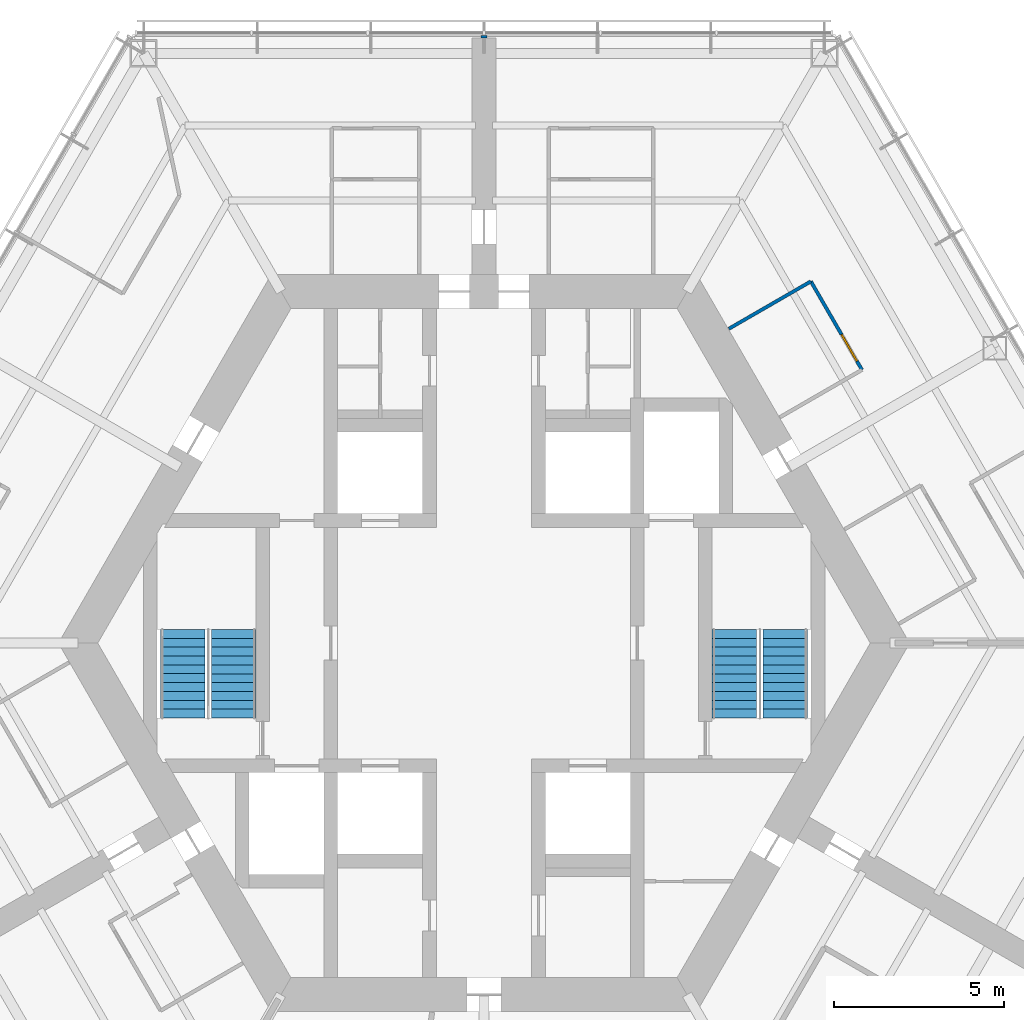
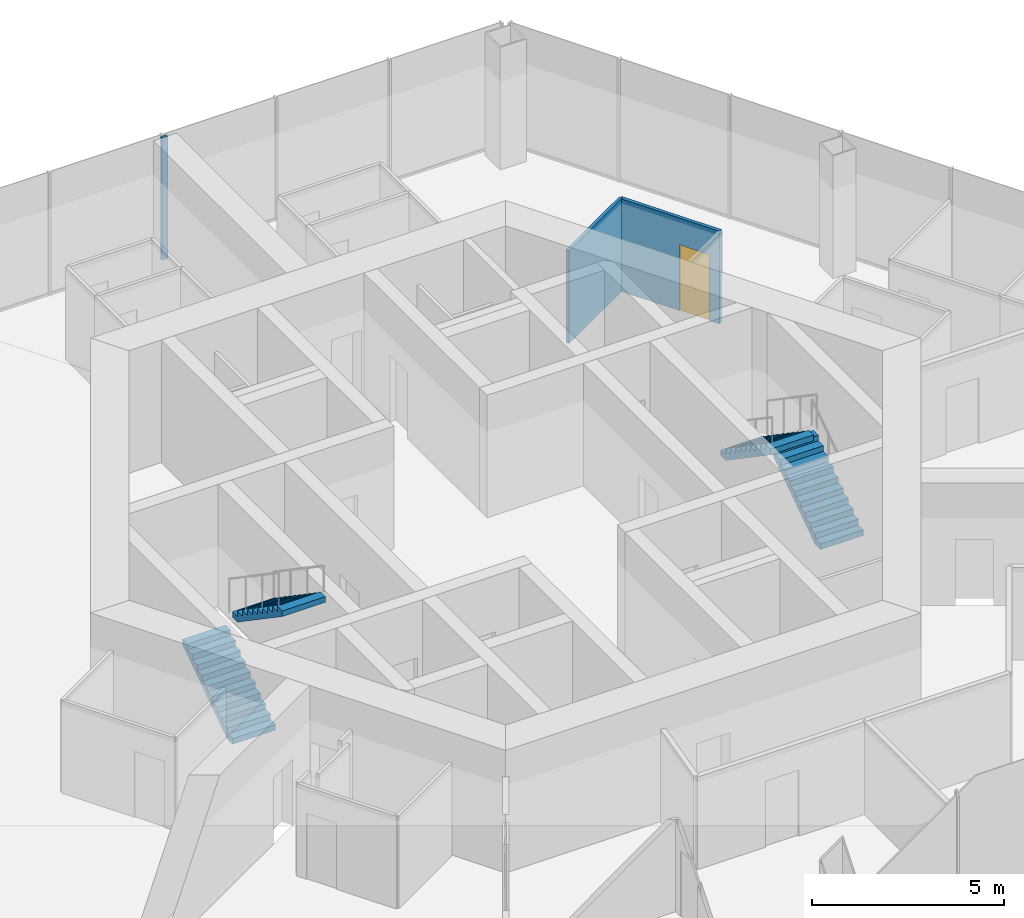
# One storey, part 15 of 18: 4 stair flights, 3 walls, 1 door, 1 opening, 2 elements without a shape of their own.
"""IFC4 building model written with IfcOpenShell, lengths in metres."""

from ifc_helpers import new_model, si_unit, direction, frame, frame_2d, origin, place, context, subcontext, project, spatial, polyline, rectangle, outline, extrude, material, layer, layer_set, type_object, element, fill, aggregate, save


model = new_model("IFC4")

# Units and contexts
model_context = context("Model", 3, precision=1e-05, world=origin(), true_north=direction((0.0, 1.0)))
body_context = subcontext(model_context, "Body", "Model", "MODEL_VIEW")
ifc_project = project(units=[si_unit("LENGTHUNIT", "METRE"), si_unit("AREAUNIT", "SQUARE_METRE"), si_unit("VOLUMEUNIT", "CUBIC_METRE"), si_unit("PLANEANGLEUNIT", "RADIAN"), si_unit("MASSUNIT", "GRAM", prefix="KILO")], contexts=[model_context])

# Site, building, storey
site_placement = place(None, origin())
site = spatial("IfcSite", under=ifc_project, at=site_placement, CompositionType="ELEMENT")
building_placement = place(site_placement, origin())
building = spatial("IfcBuilding", under=site, at=building_placement, Name="Kasaneha Research Tower", CompositionType="ELEMENT")
storey_placement = place(building_placement, frame((0.0, 0.0, 168.199951171875)))
storey = spatial("IfcBuildingStorey", under=building, at=storey_placement, Name="L42", CompositionType="ELEMENT", Elevation=168.199951171875)

# Wall
ifc_material_1 = material(Name="Gypsum board on steel studs, one layer each side", Category="steel")
ifc_layer_1 = layer(ifc_material_1, 0.10009765625)
ifc_layer_set_1 = layer_set([ifc_layer_1], Name="Office partition 100")
wall_type_1 = type_object("IfcWallType", Name="Office partition 100", PredefinedType="PARTITIONING", material=ifc_layer_set_1)
wall_1_placement = place(storey_placement, frame((7.19189453125, 9.23291015625, 0.0), z_axis=(0.0, 0.0, 1.0), x_axis=(0.866018876994, 0.500011304563, 0.0)))
element("IfcWall", 1, at=wall_1_placement, inside=storey, type_object=wall_type_1, Name="Office partition FAE07 L42", PredefinedType="PARTITIONING", context=body_context, shape_type="SweptSolid", body=[
    extrude(rectangle(XDim=2.7802734375, YDim=0.10009765625, at=frame_2d((1.39013671875, 0.0))), origin(), (0.0, 0.0, 1.0), 2.949951171875),
])

# Wall, opening, door
wall_2_placement = place(storey_placement, frame((9.599609375, 10.623046875, 0.0), z_axis=(0.0, 0.0, 1.0), x_axis=(0.499990139034, -0.866031096941, 0.0)))
wall_2 = element("IfcWall", 2, at=wall_2_placement, inside=storey, type_object=wall_type_1, Name="Office partition FAE08 L42", PredefinedType="PARTITIONING", context=body_context, shape_type="SweptSolid", body=[
    extrude(rectangle(XDim=3.0, YDim=0.10009765625, at=frame_2d((1.5, 0.0))), origin(), (0.0, 0.0, 1.0), 2.949951171875),
])
opening_placement = place(wall_2_placement, frame((1.800048828125, 0.0, 0.0)))
opening = element("IfcOpeningElement", 3, at=opening_placement, cuts=wall_2, Name="Opening L42-D29", PredefinedType="OPENING", context=body_context, shape_type="SweptSolid", body=[
    extrude(rectangle(XDim=0.89990234375, YDim=2.10009765625, at=frame_2d((0.449951171875, 1.050048828125))), frame((0.0, 0.06005859375, 0.0), z_axis=(0.0, -1.0, 0.0), x_axis=(1.0, 0.0, 0.0)), (0.0, 0.0, 1.0), 0.1201171875),
])
ifc_material_2 = material(Name="Timber veneer", Category="wood")
door_type = type_object("IfcDoorType", Name="Office door 900x2100", OperationType="SINGLE_SWING_LEFT", PredefinedType="DOOR", material=ifc_material_2)
door_placement = place(opening_placement, origin())
door = element("IfcDoor", 4, at=door_placement, inside=storey, type_object=door_type, Name="Pantry door L42-D29", OperationType="SINGLE_SWING_RIGHT", OverallHeight=2.10009765625, OverallWidth=0.89990234375, PredefinedType="DOOR", context=body_context, shape_type="SweptSolid", body=[
    extrude(rectangle(XDim=0.89990234375, YDim=2.10009765625, at=frame_2d((0.449951171875, 1.050048828125))), frame((0.0, 0.02490234375, 0.0), z_axis=(0.0, -1.0, 0.0), x_axis=(1.0, 0.0, 0.0)), (0.0, 0.0, 1.0), 0.050048828125),
])
fill(opening, door)

# Wall
ifc_material_3 = material(Name="Gypsum board on steel studs, two layers each side", Category="steel")
ifc_layer_2 = layer(ifc_material_3, 0.175048828125)
ifc_layer_set_2 = layer_set([ifc_layer_2], Name="Tenancy fire partition 175")
wall_type_2 = type_object("IfcWallType", Name="Tenancy fire partition 175", PredefinedType="PARTITIONING", material=ifc_layer_set_2)
wall_3_placement = place(storey_placement, frame((0.0, 17.7705078125, 0.0), z_axis=(0.0, 0.0, 1.0), x_axis=(0.0, 1.0, 0.0)))
element("IfcWall", 5, at=wall_3_placement, inside=storey, type_object=wall_type_2, Name="Spine wall closer SW3-700 L42", PredefinedType="PARTITIONING", context=body_context, shape_type="SweptSolid", body=[
    extrude(rectangle(XDim=0.080078125, YDim=0.175048828125, at=frame_2d((0.0400390625, 0.0))), origin(), (0.0, 0.0, 1.0), 3.900146484375),
])

# Stair, stair flights
ifc_material_4 = material(Name="Concrete Fc24", Category="concrete")
stair_type = type_object("IfcStairType", Name="Half-turn stair 22 risers", PredefinedType="HALF_TURN_STAIR", material=ifc_material_4)
stair_1_placement = place(storey_placement, origin())
stair_1 = element("IfcStair", 6, at=stair_1_placement, inside=storey, type_object=stair_type, Name="Stair 1 L42", PredefinedType="HALF_TURN_STAIR")
ifc_material_5 = material(Name="Concrete Fc24", Category="concrete")
stair_flight_type = type_object("IfcStairFlightType", Name="Stair flight 11 risers 177.3", PredefinedType="STRAIGHT", material=ifc_material_5)
stair_flight_1_placement = place(storey_placement, frame((8.85009765625, -2.199951171875, 0.0), z_axis=(0.0, 0.0, 1.0), x_axis=(0.0, 1.0, 0.0)))
stair_flight_1 = element("IfcStairFlight", 7, at=stair_flight_1_placement, type_object=stair_flight_type, Name="ST1-22R flight 1", NumberOfRisers=11, NumberOfTreads=10, PredefinedType="STRAIGHT", RiserHeight=0.177272727, TreadLength=0.26, context=body_context, shape_type="SweptSolid", body=[
    extrude(outline(polyline([(0.0, 0.0), (0.0, 0.17724609375), (0.260009765625, 0.17724609375), (0.260009765625, 0.3544921875), (0.52001953125, 0.3544921875), (0.52001953125, 0.53173828125), (0.780029296875, 0.53173828125), (0.780029296875, 0.708984375), (1.0400390625, 0.708984375), (1.0400390625, 0.886474609375), (1.300048828125, 0.886474609375), (1.300048828125, 1.063720703125), (1.56005859375, 1.063720703125), (1.56005859375, 1.240966796875), (1.820068359375, 1.240966796875), (1.820068359375, 1.418212890625), (2.080078125, 1.418212890625), (2.080078125, 1.595458984375), (2.340087890625, 1.595458984375), (2.340087890625, 1.772705078125), (2.60009765625, 1.772705078125), (2.60009765625, 1.949951171875), (2.60009765625, 1.59130859375), (0.26611328125, 0.0), (0.0, 0.0)])), frame((0.0, 0.64990234375, 0.0), z_axis=(0.0, -1.0, 0.0), x_axis=(1.0, 0.0, 0.0)), (0.0, 0.0, 1.0), 1.300048828125),
])
stair_flight_2_placement = place(storey_placement, frame((7.35009765625, 0.39990234375, 1.949951171875), z_axis=(0.0, 0.0, 1.0), x_axis=(0.0, -1.0, 0.0)))
stair_flight_2 = element("IfcStairFlight", 8, at=stair_flight_2_placement, type_object=stair_flight_type, Name="ST1-22R flight 2", NumberOfRisers=11, NumberOfTreads=10, PredefinedType="STRAIGHT", RiserHeight=0.177272727, TreadLength=0.26, context=body_context, shape_type="SweptSolid", body=[
    extrude(outline(polyline([(0.0, 0.0), (0.0, 0.17724609375), (0.260009765625, 0.17724609375), (0.260009765625, 0.3544921875), (0.52001953125, 0.3544921875), (0.52001953125, 0.53173828125), (0.780029296875, 0.53173828125), (0.780029296875, 0.708984375), (1.0400390625, 0.708984375), (1.0400390625, 0.886474609375), (1.300048828125, 0.886474609375), (1.300048828125, 1.063720703125), (1.56005859375, 1.063720703125), (1.56005859375, 1.240966796875), (1.820068359375, 1.240966796875), (1.820068359375, 1.418212890625), (2.080078125, 1.418212890625), (2.080078125, 1.595458984375), (2.340087890625, 1.595458984375), (2.340087890625, 1.772705078125), (2.60009765625, 1.772705078125), (2.60009765625, 1.949951171875), (2.60009765625, 1.59130859375), (0.26611328125, 0.0), (0.0, 0.0)])), frame((0.0, 0.64990234375, 0.0), z_axis=(0.0, -1.0, 0.0), x_axis=(1.0, 0.0, 0.0)), (0.0, 0.0, 1.0), 1.300048828125),
])
aggregate(stair_1, [stair_flight_1, stair_flight_2])

stair_2_placement = place(storey_placement, origin())
stair_2 = element("IfcStair", 9, at=stair_2_placement, inside=storey, type_object=stair_type, Name="Stair 2 L42", PredefinedType="HALF_TURN_STAIR")
stair_flight_3_placement = place(storey_placement, frame((-8.85009765625, -2.199951171875, 0.0), z_axis=(0.0, 0.0, 1.0), x_axis=(0.0, 1.0, 0.0)))
stair_flight_3 = element("IfcStairFlight", 10, at=stair_flight_3_placement, type_object=stair_flight_type, Name="ST2-22R flight 1", NumberOfRisers=11, NumberOfTreads=10, PredefinedType="STRAIGHT", RiserHeight=0.177272727, TreadLength=0.26, context=body_context, shape_type="SweptSolid", body=[
    extrude(outline(polyline([(0.0, 0.0), (0.0, 0.17724609375), (0.260009765625, 0.17724609375), (0.260009765625, 0.3544921875), (0.52001953125, 0.3544921875), (0.52001953125, 0.53173828125), (0.780029296875, 0.53173828125), (0.780029296875, 0.708984375), (1.0400390625, 0.708984375), (1.0400390625, 0.886474609375), (1.300048828125, 0.886474609375), (1.300048828125, 1.063720703125), (1.56005859375, 1.063720703125), (1.56005859375, 1.240966796875), (1.820068359375, 1.240966796875), (1.820068359375, 1.418212890625), (2.080078125, 1.418212890625), (2.080078125, 1.595458984375), (2.340087890625, 1.595458984375), (2.340087890625, 1.772705078125), (2.60009765625, 1.772705078125), (2.60009765625, 1.949951171875), (2.60009765625, 1.59130859375), (0.26611328125, 0.0), (0.0, 0.0)])), frame((0.0, 0.64990234375, 0.0), z_axis=(0.0, -1.0, 0.0), x_axis=(1.0, 0.0, 0.0)), (0.0, 0.0, 1.0), 1.300048828125),
])
stair_flight_4_placement = place(storey_placement, frame((-7.35009765625, 0.39990234375, 1.949951171875), z_axis=(0.0, 0.0, 1.0), x_axis=(0.0, -1.0, 0.0)))
stair_flight_4 = element("IfcStairFlight", 11, at=stair_flight_4_placement, type_object=stair_flight_type, Name="ST2-22R flight 2", NumberOfRisers=11, NumberOfTreads=10, PredefinedType="STRAIGHT", RiserHeight=0.177272727, TreadLength=0.26, context=body_context, shape_type="SweptSolid", body=[
    extrude(outline(polyline([(0.0, 0.0), (0.0, 0.17724609375), (0.260009765625, 0.17724609375), (0.260009765625, 0.3544921875), (0.52001953125, 0.3544921875), (0.52001953125, 0.53173828125), (0.780029296875, 0.53173828125), (0.780029296875, 0.708984375), (1.0400390625, 0.708984375), (1.0400390625, 0.886474609375), (1.300048828125, 0.886474609375), (1.300048828125, 1.063720703125), (1.56005859375, 1.063720703125), (1.56005859375, 1.240966796875), (1.820068359375, 1.240966796875), (1.820068359375, 1.418212890625), (2.080078125, 1.418212890625), (2.080078125, 1.595458984375), (2.340087890625, 1.595458984375), (2.340087890625, 1.772705078125), (2.60009765625, 1.772705078125), (2.60009765625, 1.949951171875), (2.60009765625, 1.59130859375), (0.26611328125, 0.0), (0.0, 0.0)])), frame((0.0, 0.64990234375, 0.0), z_axis=(0.0, -1.0, 0.0), x_axis=(1.0, 0.0, 0.0)), (0.0, 0.0, 1.0), 1.300048828125),
])
aggregate(stair_2, [stair_flight_3, stair_flight_4])

save(model, "model.ifc")
